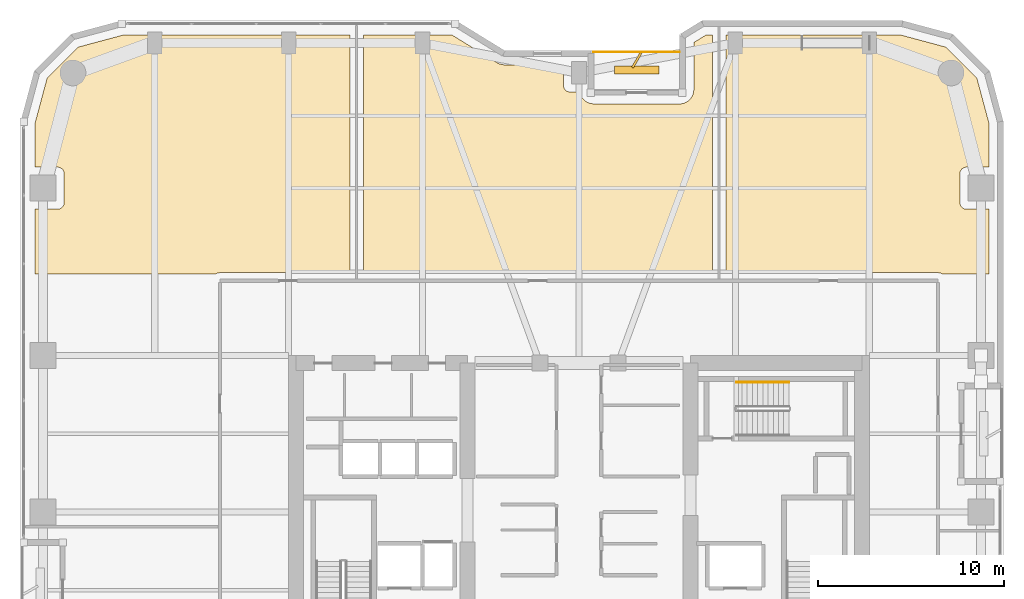
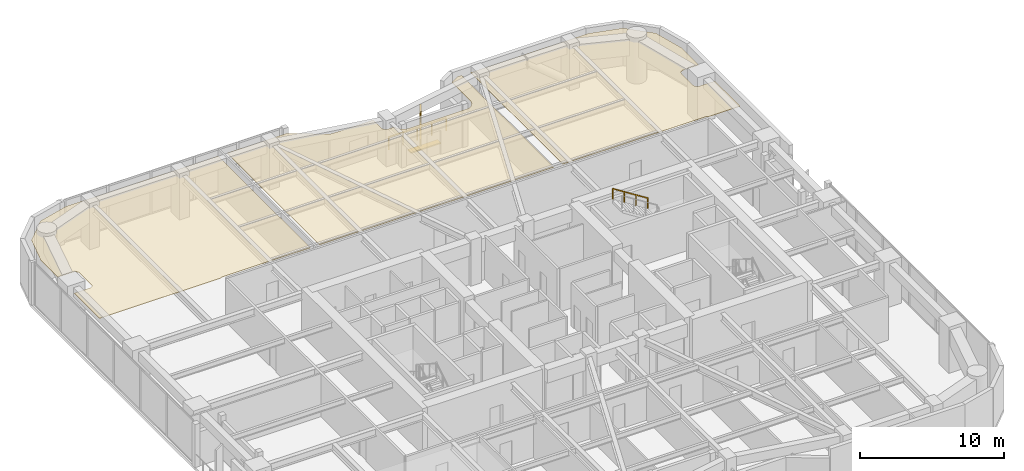
# One storey, part 24 of 24: 3 coverings, 2 railings, 2 shading devices.
"""IFC4 building model written with IfcOpenShell, lengths in metres."""

from ifc_helpers import new_model, si_unit, direction, frame, origin, origin_2d, place, context, subcontext, project, spatial, polyline, rectangle, outline, extrude, material, layer, layer_set, type_object, element, save


model = new_model("IFC4")

# Units and contexts
model_context = context("Model", 3, precision=1e-05, world=origin(), true_north=direction((0.0, 1.0)))
body_context = subcontext(model_context, "Body", "Model", "MODEL_VIEW")
ifc_project = project(units=[si_unit("LENGTHUNIT", "METRE"), si_unit("AREAUNIT", "SQUARE_METRE"), si_unit("VOLUMEUNIT", "CUBIC_METRE"), si_unit("PLANEANGLEUNIT", "RADIAN"), si_unit("MASSUNIT", "GRAM", prefix="KILO")], contexts=[model_context])

# Site, building, storey
site_placement = place(None, origin())
site = spatial("IfcSite", under=ifc_project, at=site_placement, CompositionType="ELEMENT")
building_placement = place(site_placement, origin())
building = spatial("IfcBuilding", under=site, at=building_placement, Name="Kiyonajd Concourse Tower", CompositionType="ELEMENT")
storey_placement = place(building_placement, frame((0.0, 0.0, 109.199951171875)))
storey = spatial("IfcBuildingStorey", under=building, at=storey_placement, Name="L28", CompositionType="ELEMENT", Elevation=109.199951171875)

# Coverings
ifc_material_1 = material(Name="Natural Oak Acoustic Timber Veneer", Category="wood")
ifc_layer = layer(ifc_material_1, 0.0400390625)
ifc_layer_set = layer_set([ifc_layer], Name="Natural Oak Acoustic Timber Veneer")
covering_type = type_object("IfcCoveringType", Name="CV-CLG-ACST", PredefinedType="CEILING", material=ifc_layer_set)
covering_1_placement = place(storey_placement, frame((0.0, 0.0, 3.4599609375)))
element("IfcCovering", 1, at=covering_1_placement, inside=storey, type_object=covering_type, Name="L28-49 Room Acoustic Ceiling", PredefinedType="CEILING", context=body_context, shape_type="SweptSolid", body=[
    extrude(outline(polyline([(21.097900390625, 60.986083984375), (23.5009765625, 61.6298828125), (35.68994140625, 61.6298828125), (35.68994140625, 48.860107421875), (28.699951171875, 48.860107421875), (28.570068359375, 48.840087890625), (28.507080078125, 48.81396484375), (28.451904296875, 48.780029296875), (18.77001953125, 48.780029296875), (18.77001953125, 52.27001953125), (19.97998046875, 52.27001953125), (20.048095703125, 52.277099609375), (20.14501953125, 52.31103515625), (20.201904296875, 52.34912109375), (20.2509765625, 52.39794921875), (20.2890625, 52.455078125), (20.31494140625, 52.51806640625), (20.330078125, 52.6201171875), (20.330078125, 54.179931640625), (20.31494140625, 54.281982421875), (20.2890625, 54.344970703125), (20.2509765625, 54.402099609375), (20.201904296875, 54.450927734375), (20.14501953125, 54.489013671875), (20.08203125, 54.514892578125), (20.013916015625, 54.528076171875), (18.77001953125, 54.530029296875), (18.77001953125, 56.89892578125), (19.4140625, 59.302001953125), (21.097900390625, 60.986083984375)])), origin(), (0.0, 0.0, 1.0), 0.0400390625),
])
covering_2_placement = place(storey_placement, frame((0.0, 0.0, 3.4599609375)))
element("IfcCovering", 2, at=covering_2_placement, inside=storey, type_object=covering_type, Name="L28-50 Room Acoustic Ceiling", PredefinedType="CEILING", context=body_context, shape_type="SweptSolid", body=[
    extrude(outline(polyline([(43.694091796875, 60.093994140625), (43.85888671875, 60.04296875), (44.0, 60.030029296875), (47.169921875, 60.030029296875), (47.169921875, 58.919921875), (47.18505859375, 58.818115234375), (47.22900390625, 58.72607421875), (47.27294921875, 58.673095703125), (47.325927734375, 58.62890625), (47.385986328125, 58.596923828125), (47.451904296875, 58.576904296875), (47.52001953125, 58.570068359375), (48.041015625, 58.570068359375), (48.069091796875, 58.4599609375), (48.114990234375, 58.34912109375), (48.18310546875, 58.240966796875), (48.242919921875, 58.16796875), (48.320068359375, 58.097900390625), (48.448974609375, 58.014892578125), (48.52099609375, 57.98291015625), (48.633056640625, 57.947998046875), (48.800048828125, 57.929931640625), (53.491943359375, 57.93603515625), (53.60693359375, 57.9580078125), (53.7041015625, 57.991943359375), (53.839111328125, 58.068115234375), (53.931884765625, 58.14306640625), (54.008056640625, 58.22802734375), (54.056884765625, 58.300048828125), (54.10791015625, 58.39599609375), (54.152099609375, 58.532958984375), (54.16796875, 58.658935546875), (54.169921875, 61.23095703125), (54.818115234375, 61.6298828125), (55.169921875, 61.6298828125), (55.169921875, 48.860107421875), (36.409912109375, 48.860107421875), (36.409912109375, 61.6298828125), (41.181884765625, 61.6298828125), (43.596923828125, 60.14404296875), (43.694091796875, 60.093994140625)])), origin(), (0.0, 0.0, 1.0), 0.0400390625),
])
covering_3_placement = place(storey_placement, frame((0.0, 0.0, 3.4599609375)))
element("IfcCovering", 3, at=covering_3_placement, inside=storey, type_object=covering_type, Name="L28-51 Room Acoustic Ceiling", PredefinedType="CEILING", context=body_context, shape_type="SweptSolid", body=[
    extrude(outline(polyline([(67.548095703125, 48.780029296875), (67.492919921875, 48.81396484375), (67.429931640625, 48.840087890625), (67.300048828125, 48.860107421875), (55.889892578125, 48.860107421875), (55.889892578125, 61.6298828125), (65.299072265625, 61.6298828125), (67.701904296875, 60.986083984375), (69.385986328125, 59.302001953125), (70.030029296875, 56.89892578125), (70.030029296875, 54.530029296875), (68.785888671875, 54.528076171875), (68.718017578125, 54.514892578125), (68.655029296875, 54.489013671875), (68.597900390625, 54.450927734375), (68.549072265625, 54.402099609375), (68.510986328125, 54.344970703125), (68.485107421875, 54.281982421875), (68.469970703125, 54.179931640625), (68.471923828125, 52.5859375), (68.4970703125, 52.486083984375), (68.549072265625, 52.39794921875), (68.597900390625, 52.34912109375), (68.655029296875, 52.31103515625), (68.751953125, 52.277099609375), (68.820068359375, 52.27001953125), (70.030029296875, 52.27001953125), (70.030029296875, 48.780029296875), (67.548095703125, 48.780029296875)])), origin(), (0.0, 0.0, 1.0), 0.0400390625),
])

# Railings
ifc_material_2 = material(Name="Thermally Broken Anodised Aluminium", Category="aluminium")
railing_type_1 = type_object("IfcRailingType", Name="RL-GRD-LOG", PredefinedType="GUARDRAIL", material=ifc_material_2)
railing_1_placement = place(storey_placement, frame((53.39990234375, 60.719970703125, 0.0)))
element("IfcRailing", 4, at=railing_1_placement, inside=storey, type_object=railing_type_1, Name="L28 Engawa Loggia Perimeter Guard LOG-N", PredefinedType="GUARDRAIL", context=body_context, shape_type="SweptSolid", body=[
    extrude(rectangle(XDim=0.048095703125, YDim=0.048095703125, at=origin_2d()), frame((0.0, 0.0, 1.076171875), z_axis=(-1.0, 0.0, 0.0), x_axis=(0.0, -1.0, 0.0)), (0.0, 0.0, 1.0), 4.599853515625),
    extrude(rectangle(XDim=0.0419921875, YDim=0.0419921875, at=origin_2d()), origin(), (0.0, 0.0, 1.0), 1.052001953125),
    extrude(rectangle(XDim=0.0419921875, YDim=0.0419921875, at=origin_2d()), frame((-1.14990234375, 0.0, 0.0)), (0.0, 0.0, 1.0), 1.052001953125),
    extrude(rectangle(XDim=0.0419921875, YDim=0.0419921875, at=origin_2d()), frame((-2.2998046875, 0.0, 0.0)), (0.0, 0.0, 1.0), 1.052001953125),
    extrude(rectangle(XDim=0.0419921875, YDim=0.0419921875, at=origin_2d()), frame((-3.449951171875, 0.0, 0.0)), (0.0, 0.0, 1.0), 1.052001953125),
    extrude(rectangle(XDim=0.0419921875, YDim=0.0419921875, at=origin_2d()), frame((-4.599853515625, 0.0, 0.0)), (0.0, 0.0, 1.0), 1.052001953125),
])
ifc_material_3 = material(Name="Brushed Stainless Steel Cab Assembly", Category="steel")
railing_type_2 = type_object("IfcRailingType", Name="RL-HND-900", PredefinedType="HANDRAIL", material=ifc_material_3)
railing_2_placement = place(storey_placement, frame((59.280029296875, 42.969970703125, 2.12744140625)))
element("IfcRailing", 5, at=railing_2_placement, inside=storey, type_object=railing_type_2, Name="L28 ST3 stair handrail 2", PredefinedType="HANDRAIL", context=body_context, shape_type="SweptSolid", body=[
    extrude(rectangle(XDim=0.048095703125, YDim=0.048095703125, at=origin_2d()), frame((0.0, 0.0, 0.8759765625), z_axis=(-0.844908973607, 0.0, 0.534910110503), x_axis=(0.0, -1.0, 0.0)), (0.0, 0.0, 1.0), 3.31396484375),
    extrude(rectangle(XDim=0.0419921875, YDim=0.0419921875, at=origin_2d()), origin(), (0.0, 0.0, 1.0), 0.851806640625),
    extrude(rectangle(XDim=0.0419921875, YDim=0.0419921875, at=origin_2d()), frame((-0.933349609375, 0.0, 0.5908203125)), (0.0, 0.0, 1.0), 0.851806640625),
    extrude(rectangle(XDim=0.0419921875, YDim=0.0419921875, at=origin_2d()), frame((-1.86669921875, 0.0, 1.181884765625)), (0.0, 0.0, 1.0), 0.851806640625),
    extrude(rectangle(XDim=0.0419921875, YDim=0.0419921875, at=origin_2d()), frame((-2.800048828125, 0.0, 1.772705078125)), (0.0, 0.0, 1.0), 0.851806640625),
])

# Shading devices
ifc_material_4 = material(Name="Precast concrete C50/60", Category="concrete")
shading_device_type_1 = type_object("IfcShadingDeviceType", Name="SH-FIN-900", PredefinedType="USERDEFINED", material=ifc_material_4)
shading_device_1_placement = place(storey_placement, frame((51.10009765625, 60.27001953125, 0.0), z_axis=(0.0, 0.0, 1.0), x_axis=(0.5, 0.866025403784, 0.0)))
element("IfcShadingDevice", 6, at=shading_device_1_placement, inside=storey, type_object=shading_device_type_1, Name="L28 Angled Koshi Solar Fin LOG-N", ObjectType="FIN", PredefinedType="USERDEFINED", context=body_context, shape_type="SweptSolid", body=[
    extrude(rectangle(XDim=0.89990234375, YDim=0.1201171875, at=origin_2d()), origin(), (0.0, 0.0, 1.0), 3.0),
])
shading_device_type_2 = type_object("IfcShadingDeviceType", Name="SH-LVR-600", PredefinedType="JALOUSIE", material=ifc_material_2)
shading_device_2_placement = place(storey_placement, frame((51.10009765625, 59.75, 0.0), z_axis=(0.0, 0.0, 1.0), x_axis=(1.0, 0.0, 0.0)))
element("IfcShadingDevice", 7, at=shading_device_2_placement, inside=storey, type_object=shading_device_type_2, Name="L28 Loggia Threshold Louver LOG-N", PredefinedType="JALOUSIE", context=body_context, shape_type="SweptSolid", body=[
    extrude(rectangle(XDim=2.39990234375, YDim=0.449951171875, at=origin_2d()), origin(), (0.0, 0.0, 1.0), 0.10009765625),
])

save(model, "model.ifc")
